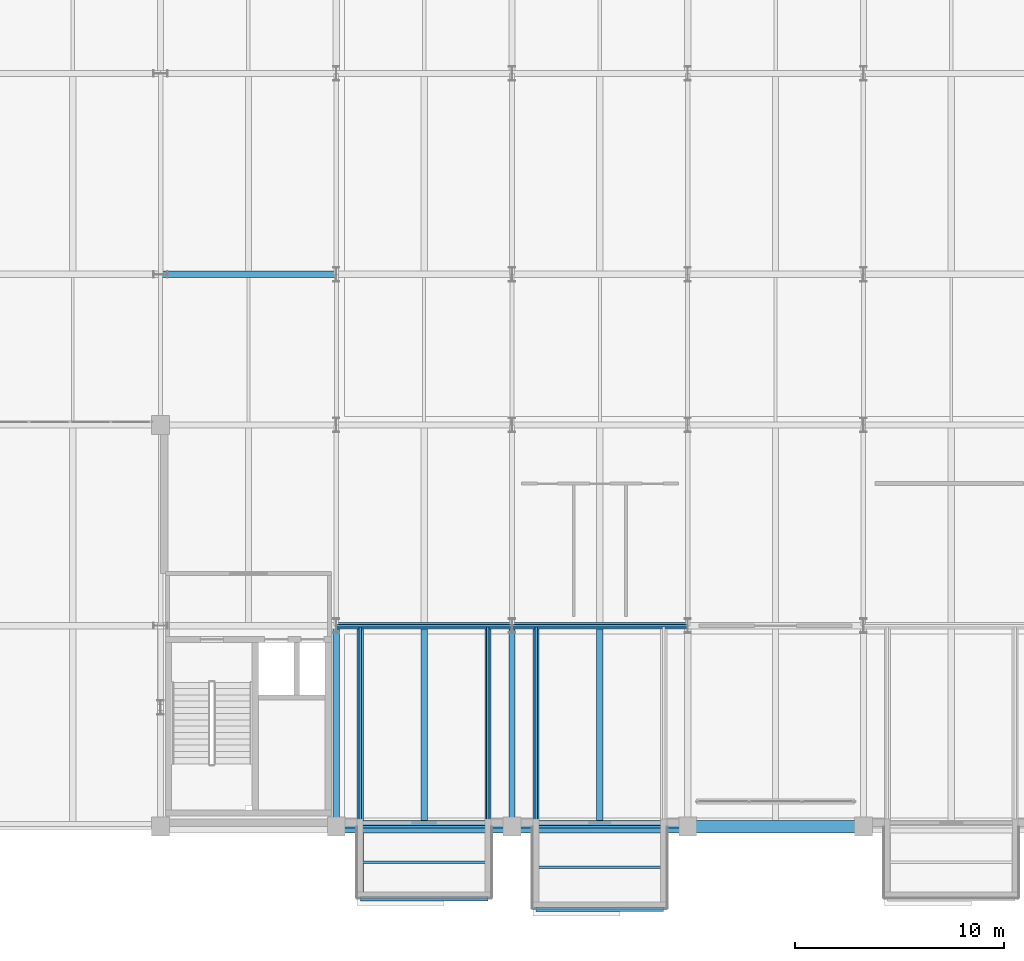
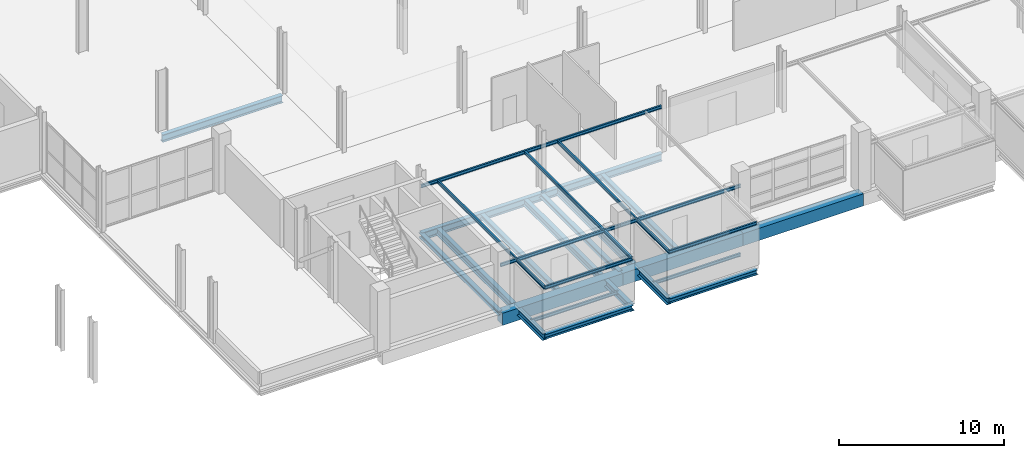
# One storey, part 17 of 113: 26 beams.
"""IFC4 building model written with IfcOpenShell, lengths in metres."""

from ifc_helpers import new_model, si_unit, direction, frame, origin, origin_2d, place, context, subcontext, project, spatial, rectangle, i_section, extrude, material, material_profile, profile_set, type_object, element, save


model = new_model("IFC4")

# Units and contexts
model_context = context("Model", 3, precision=1e-05, world=origin(), true_north=direction((0.0, 1.0)))
body_context = subcontext(model_context, "Body", "Model", "MODEL_VIEW")
ifc_project = project(units=[si_unit("LENGTHUNIT", "METRE"), si_unit("AREAUNIT", "SQUARE_METRE"), si_unit("VOLUMEUNIT", "CUBIC_METRE"), si_unit("PLANEANGLEUNIT", "RADIAN"), si_unit("MASSUNIT", "GRAM", prefix="KILO")], contexts=[model_context])

# Site, building, storey
site_placement = place(None, origin())
site = spatial("IfcSite", under=ifc_project, at=site_placement, CompositionType="ELEMENT")
building_placement = place(site_placement, origin())
building = spatial("IfcBuilding", under=site, at=building_placement, Name="Veltarok Museum of Natural Sciences", CompositionType="ELEMENT")
storey_placement = place(building_placement, frame((0.0, 0.0, 8.39990234375)))
storey = spatial("IfcBuildingStorey", under=building, at=storey_placement, Name="L01", CompositionType="ELEMENT", Elevation=8.39990234375)

# Beams
ifc_material_1 = material(Name="Steel S355J2", Category="steel")
ifc_material_profile_1 = material_profile(ifc_material_1, i_section(OverallWidth=0.300048828125, OverallDepth=0.5, WebThickness=0.014404296875, FlangeThickness=0.028076171875, FilletRadius=0.027099609375, at=origin_2d()), Name="HEB 500")
ifc_profile_set_1 = profile_set([ifc_material_profile_1], Name="Steel S355J2")
beam_type_1 = type_object("IfcBeamType", Name="Cabinet Box Cantilever Girder HEB 500", PredefinedType="BEAM", material=ifc_profile_set_1)
for number, where, z_axis, x_axis, name in (
    (1, (41.14990234375, -3.39990234375, -0.5), (0.0, 1.0, 0.0), (-1.0, 0.0, 0.0), "Cabinet Cantilever Girder DB-01-1"),
    (2, (47.25, -3.39990234375, -0.5), (0.0, 1.0, 0.0), (-1.0, 0.0, 0.0), "Cabinet Cantilever Girder DB-01-2"),
):
    element("IfcBeam", number, at=place(storey_placement, frame(where, z_axis=z_axis, x_axis=x_axis)), inside=storey, type_object=beam_type_1, Name=name, PredefinedType="BEAM", context=body_context, shape_type="SweptSolid", body=[
        extrude(i_section(OverallWidth=0.300048828125, OverallDepth=0.5, WebThickness=0.014404296875, FlangeThickness=0.028076171875, FilletRadius=0.027099609375, at=origin_2d()), origin(), (0.0, 0.0, 1.0), 13.0),
    ])
beam_1_placement = place(storey_placement, frame((49.550048828125, -3.89990234375, -0.5), z_axis=(0.0, 1.0, 0.0), x_axis=(-1.0, 0.0, 0.0)))
element("IfcBeam", 3, at=beam_1_placement, inside=storey, type_object=beam_type_1, Name="Cabinet Cantilever Girder DB-02-1", PredefinedType="BEAM", context=body_context, shape_type="SweptSolid", body=[
    extrude(i_section(OverallWidth=0.300048828125, OverallDepth=0.5, WebThickness=0.014404296875, FlangeThickness=0.028076171875, FilletRadius=0.027099609375, at=origin_2d()), origin(), (0.0, 0.0, 1.0), 13.5),
])
ifc_material_profile_2 = material_profile(ifc_material_1, i_section(OverallWidth=0.1201171875, OverallDepth=0.239990234375, WebThickness=0.006103515625, FlangeThickness=0.009765625, FilletRadius=0.014892578125, at=origin_2d()), Name="IPE 240")
ifc_profile_set_2 = profile_set([ifc_material_profile_2], Name="Steel S355J2")
beam_type_2 = type_object("IfcBeamType", Name="Cabinet Box Secondary Joist IPE 240", PredefinedType="JOIST", material=ifc_profile_set_2)
for number, where, z_axis, x_axis, name in (
    (4, (41.14990234375, -3.39990234375, 3.130126953125), (0.0, 1.0, 0.0), (-1.0, 0.0, 0.0), "Cabinet Roof Rafter DB-01-1"),
    (5, (47.25, -3.39990234375, 3.130126953125), (0.0, 1.0, 0.0), (-1.0, 0.0, 0.0), "Cabinet Roof Rafter DB-01-2"),
):
    element("IfcBeam", number, at=place(storey_placement, frame(where, z_axis=z_axis, x_axis=x_axis)), inside=storey, type_object=beam_type_2, Name=name, PredefinedType="JOIST", context=body_context, shape_type="SweptSolid", body=[
        extrude(i_section(OverallWidth=0.1201171875, OverallDepth=0.239990234375, WebThickness=0.006103515625, FlangeThickness=0.009765625, FilletRadius=0.014892578125, at=origin_2d()), origin(), (0.0, 0.0, 1.0), 13.0),
    ])
for number, where, z_axis, x_axis, name in (
    (6, (40.0, 0.0, 3.130126953125), (1.0, 0.0, 0.0), (0.0, 1.0, 0.0), "Cabinet Roof Tie Beam DB-01-P"),
    (7, (40.0, 9.60009765625, 3.130126953125), (1.0, 0.0, 0.0), (0.0, 1.0, 0.0), "Cabinet Roof Tie Beam DB-01-I"),
):
    element("IfcBeam", number, at=place(storey_placement, frame(where, z_axis=z_axis, x_axis=x_axis)), inside=storey, type_object=beam_type_2, Name=name, PredefinedType="JOIST", context=body_context, shape_type="SweptSolid", body=[
        extrude(i_section(OverallWidth=0.1201171875, OverallDepth=0.239990234375, WebThickness=0.006103515625, FlangeThickness=0.009765625, FilletRadius=0.014892578125, at=origin_2d()), origin(), (0.0, 0.0, 1.0), 8.39990234375),
    ])
for number, where, z_axis, x_axis, name in (
    (8, (41.14990234375, -3.39990234375, 3.130126953125), (1.0, 0.0, 0.0), (0.0, 1.0, 0.0), "Cabinet Roof Tip Header DB-01"),
    (9, (41.14990234375, -1.699951171875, -0.369873046875), (1.0, 0.0, 0.0), (0.0, 1.0, 0.0), "Cabinet Box Joist DB-01"),
):
    element("IfcBeam", number, at=place(storey_placement, frame(where, z_axis=z_axis, x_axis=x_axis)), inside=storey, type_object=beam_type_2, Name=name, PredefinedType="JOIST", context=body_context, shape_type="SweptSolid", body=[
        extrude(i_section(OverallWidth=0.1201171875, OverallDepth=0.239990234375, WebThickness=0.006103515625, FlangeThickness=0.009765625, FilletRadius=0.014892578125, at=origin_2d()), origin(), (0.0, 0.0, 1.0), 6.10009765625),
    ])
beam_2_placement = place(storey_placement, frame((49.550048828125, -3.89990234375, 3.130126953125), z_axis=(0.0, 1.0, 0.0), x_axis=(-1.0, 0.0, 0.0)))
element("IfcBeam", 10, at=beam_2_placement, inside=storey, type_object=beam_type_2, Name="Cabinet Roof Rafter DB-02-1", PredefinedType="JOIST", context=body_context, shape_type="SweptSolid", body=[
    extrude(i_section(OverallWidth=0.1201171875, OverallDepth=0.239990234375, WebThickness=0.006103515625, FlangeThickness=0.009765625, FilletRadius=0.014892578125, at=origin_2d()), origin(), (0.0, 0.0, 1.0), 13.5),
])
for number, where, z_axis, x_axis, name in (
    (11, (48.39990234375, 0.0, 3.130126953125), (1.0, 0.0, 0.0), (0.0, 1.0, 0.0), "Cabinet Roof Tie Beam DB-02-P"),
    (12, (48.39990234375, 9.60009765625, 3.130126953125), (1.0, 0.0, 0.0), (0.0, 1.0, 0.0), "Cabinet Roof Tie Beam DB-02-I"),
):
    element("IfcBeam", number, at=place(storey_placement, frame(where, z_axis=z_axis, x_axis=x_axis)), inside=storey, type_object=beam_type_2, Name=name, PredefinedType="JOIST", context=body_context, shape_type="SweptSolid", body=[
        extrude(i_section(OverallWidth=0.1201171875, OverallDepth=0.239990234375, WebThickness=0.006103515625, FlangeThickness=0.009765625, FilletRadius=0.014892578125, at=origin_2d()), origin(), (0.0, 0.0, 1.0), 8.400146484375),
    ])
for number, where, z_axis, x_axis, name in (
    (13, (49.550048828125, -3.89990234375, 3.130126953125), (1.0, 0.0, 0.0), (0.0, 1.0, 0.0), "Cabinet Roof Tip Header DB-02"),
    (14, (49.550048828125, -1.949951171875, -0.369873046875), (1.0, 0.0, 0.0), (0.0, 1.0, 0.0), "Cabinet Box Joist DB-02"),
):
    element("IfcBeam", number, at=place(storey_placement, frame(where, z_axis=z_axis, x_axis=x_axis)), inside=storey, type_object=beam_type_2, Name=name, PredefinedType="JOIST", context=body_context, shape_type="SweptSolid", body=[
        extrude(i_section(OverallWidth=0.1201171875, OverallDepth=0.239990234375, WebThickness=0.006103515625, FlangeThickness=0.009765625, FilletRadius=0.014892578125, at=origin_2d()), origin(), (0.0, 0.0, 1.0), 6.099853515625),
    ])
ifc_material_profile_3 = material_profile(ifc_material_1, i_section(OverallWidth=0.300048828125, OverallDepth=0.35009765625, WebThickness=0.010009765625, FlangeThickness=0.017578125, FilletRadius=0.027099609375, at=origin_2d()), Name="HEA 360")
ifc_profile_set_3 = profile_set([ifc_material_profile_3], Name="Steel S355J2")
beam_type_3 = type_object("IfcBeamType", Name="Cabinet Box Tip Header HEA 360", PredefinedType="BEAM", material=ifc_profile_set_3)
beam_3_placement = place(storey_placement, frame((41.14990234375, -3.39990234375, -0.4248046875), z_axis=(1.0, 0.0, 0.0), x_axis=(0.0, 1.0, 0.0)))
element("IfcBeam", 15, at=beam_3_placement, inside=storey, type_object=beam_type_3, Name="Cabinet Tip Header DB-01", PredefinedType="BEAM", context=body_context, shape_type="SweptSolid", body=[
    extrude(i_section(OverallWidth=0.300048828125, OverallDepth=0.35009765625, WebThickness=0.010009765625, FlangeThickness=0.017578125, FilletRadius=0.027099609375, at=origin_2d()), origin(), (0.0, 0.0, 1.0), 6.10009765625),
])
beam_4_placement = place(storey_placement, frame((49.550048828125, -3.89990234375, -0.4248046875), z_axis=(1.0, 0.0, 0.0), x_axis=(0.0, 1.0, 0.0)))
element("IfcBeam", 16, at=beam_4_placement, inside=storey, type_object=beam_type_3, Name="Cabinet Tip Header DB-02", PredefinedType="BEAM", context=body_context, shape_type="SweptSolid", body=[
    extrude(i_section(OverallWidth=0.300048828125, OverallDepth=0.35009765625, WebThickness=0.010009765625, FlangeThickness=0.017578125, FilletRadius=0.027099609375, at=origin_2d()), origin(), (0.0, 0.0, 1.0), 6.099853515625),
])
ifc_material_profile_4 = material_profile(ifc_material_1, i_section(OverallWidth=0.300048828125, OverallDepth=0.330078125, WebThickness=0.009521484375, FlangeThickness=0.0166015625, FilletRadius=0.027099609375, at=origin_2d()), Name="HEA 340")
ifc_profile_set_4 = profile_set([ifc_material_profile_4], Name="Steel S355J2")
beam_type_4 = type_object("IfcBeamType", Name="Exhibition Floor Joist HEA 340", PredefinedType="JOIST", material=ifc_profile_set_4)
for number, where, z_axis, x_axis, name in (
    (17, (44.199951171875, 0.298095703125, -0.414794921875), (0.0, 1.0, 0.0), (-1.0, 0.0, 0.0), "Secondary Joist BM-J08 L01 5-6/A-B.1"),
    (18, (52.60009765625, 0.298095703125, -0.414794921875), (0.0, 1.0, 0.0), (-1.0, 0.0, 0.0), "Secondary Joist BM-J08 L01 6-7/A-B.1"),
):
    element("IfcBeam", number, at=place(storey_placement, frame(where, z_axis=z_axis, x_axis=x_axis)), inside=storey, type_object=beam_type_4, Name=name, PredefinedType="JOIST", context=body_context, shape_type="SweptSolid", body=[
        extrude(i_section(OverallWidth=0.300048828125, OverallDepth=0.330078125, WebThickness=0.009521484375, FlangeThickness=0.0166015625, FilletRadius=0.027099609375, at=origin_2d()), origin(), (0.0, 0.0, 1.0), 9.15380859375),
    ])
ifc_material_2 = material(Name="Concrete C40/50", Category="concrete")
ifc_material_profile_5 = material_profile(ifc_material_2, rectangle(XDim=0.60009765625, YDim=0.89990234375, at=origin_2d()), Name="RC 600x900")
ifc_profile_set_5 = profile_set([ifc_material_profile_5], Name="Concrete C40/50")
beam_type_5 = type_object("IfcBeamType", Name="Exposed Cabinet Perimeter Spandrel RC 600x900", PredefinedType="SPANDREL", material=ifc_profile_set_5)
beam_5_placement = place(storey_placement, frame((40.0, 0.0, -0.699951171875), z_axis=(1.0, 0.0, 0.0), x_axis=(0.0, 1.0, 0.0)))
element("IfcBeam", 19, at=beam_5_placement, inside=storey, type_object=beam_type_5, Name="Beam BM-SP01 L01 5-6/A", PredefinedType="SPANDREL", context=body_context, shape_type="SweptSolid", body=[
    extrude(rectangle(XDim=0.60009765625, YDim=0.89990234375, at=origin_2d()), origin(), (0.0, 0.0, 1.0), 8.39990234375),
])
beam_6_placement = place(storey_placement, frame((48.39990234375, 0.0, -0.699951171875), z_axis=(1.0, 0.0, 0.0), x_axis=(0.0, 1.0, 0.0)))
element("IfcBeam", 20, at=beam_6_placement, inside=storey, type_object=beam_type_5, Name="Beam BM-SP01 L01 6-7/A", PredefinedType="SPANDREL", context=body_context, shape_type="SweptSolid", body=[
    extrude(rectangle(XDim=0.60009765625, YDim=0.89990234375, at=origin_2d()), origin(), (0.0, 0.0, 1.0), 8.400146484375),
])
beam_7_placement = place(storey_placement, frame((56.800048828125, 0.0, -0.699951171875), z_axis=(1.0, 0.0, 0.0), x_axis=(0.0, 1.0, 0.0)))
element("IfcBeam", 21, at=beam_7_placement, inside=storey, type_object=beam_type_5, Name="Beam BM-SP01 L01 7-8/A", PredefinedType="SPANDREL", context=body_context, shape_type="SweptSolid", body=[
    extrude(rectangle(XDim=0.60009765625, YDim=0.89990234375, at=origin_2d()), origin(), (0.0, 0.0, 1.0), 8.39990234375),
])
ifc_material_profile_6 = material_profile(ifc_material_1, i_section(OverallWidth=0.300048828125, OverallDepth=0.550048828125, WebThickness=0.014892578125, FlangeThickness=0.029052734375, FilletRadius=0.027099609375, at=origin_2d()), Name="HEB 550")
ifc_profile_set_6 = profile_set([ifc_material_profile_6], Name="Steel S355J2")
beam_type_6 = type_object("IfcBeamType", Name="Gallery Girder HEB 550", PredefinedType="BEAM", material=ifc_profile_set_6)
beam_8_placement = place(storey_placement, frame((40.0, 9.60009765625, -0.52490234375), z_axis=(1.0, 0.0, 0.0), x_axis=(0.0, 1.0, 0.0)))
element("IfcBeam", 22, at=beam_8_placement, inside=storey, type_object=beam_type_6, Name="Beam BM-G10 L01 5-6/B", PredefinedType="BEAM", context=body_context, shape_type="SweptSolid", body=[
    extrude(i_section(OverallWidth=0.300048828125, OverallDepth=0.550048828125, WebThickness=0.014892578125, FlangeThickness=0.029052734375, FilletRadius=0.027099609375, at=origin_2d()), origin(), (0.0, 0.0, 1.0), 8.39990234375),
])
beam_9_placement = place(storey_placement, frame((48.39990234375, 9.60009765625, -0.52490234375), z_axis=(1.0, 0.0, 0.0), x_axis=(0.0, 1.0, 0.0)))
element("IfcBeam", 23, at=beam_9_placement, inside=storey, type_object=beam_type_6, Name="Beam BM-G10 L01 6-7/B", PredefinedType="BEAM", context=body_context, shape_type="SweptSolid", body=[
    extrude(i_section(OverallWidth=0.300048828125, OverallDepth=0.550048828125, WebThickness=0.014892578125, FlangeThickness=0.029052734375, FilletRadius=0.027099609375, at=origin_2d()), origin(), (0.0, 0.0, 1.0), 8.400146484375),
])
beam_10_placement = place(storey_placement, frame((31.60009765625, 26.39990234375, -0.52490234375), z_axis=(1.0, 0.0, 0.0), x_axis=(0.0, 1.0, 0.0)))
element("IfcBeam", 24, at=beam_10_placement, inside=storey, type_object=beam_type_6, Name="Beam BM-G10 L01 4-5/D", PredefinedType="BEAM", context=body_context, shape_type="SweptSolid", body=[
    extrude(i_section(OverallWidth=0.300048828125, OverallDepth=0.550048828125, WebThickness=0.014892578125, FlangeThickness=0.029052734375, FilletRadius=0.027099609375, at=origin_2d()), origin(), (0.0, 0.0, 1.0), 8.39990234375),
])
ifc_material_profile_7 = material_profile(ifc_material_1, i_section(OverallWidth=0.300048828125, OverallDepth=0.320068359375, WebThickness=0.011474609375, FlangeThickness=0.0205078125, FilletRadius=0.027099609375, at=origin_2d()), Name="HEB 320")
ifc_profile_set_7 = profile_set([ifc_material_profile_7], Name="Steel S355J2")
beam_type_7 = type_object("IfcBeamType", Name="Perimeter Sawtooth Spandrel HEB 320", PredefinedType="SPANDREL", material=ifc_profile_set_7)
for number, where, z_axis, x_axis, name in (
    (25, (40.0, 0.0, -0.409912109375), (0.0, 1.0, 0.0), (-1.0, 0.0, 0.0), "Beam BM-SP06 L01 5/A-B"),
    (26, (48.39990234375, 0.0, -0.409912109375), (0.0, 1.0, 0.0), (-1.0, 0.0, 0.0), "Beam BM-SP06 L01 6/A-B"),
):
    element("IfcBeam", number, at=place(storey_placement, frame(where, z_axis=z_axis, x_axis=x_axis)), inside=storey, type_object=beam_type_7, Name=name, PredefinedType="SPANDREL", context=body_context, shape_type="SweptSolid", body=[
        extrude(i_section(OverallWidth=0.300048828125, OverallDepth=0.320068359375, WebThickness=0.011474609375, FlangeThickness=0.0205078125, FilletRadius=0.027099609375, at=origin_2d()), origin(), (0.0, 0.0, 1.0), 9.60009765625),
    ])

save(model, "model.ifc")
